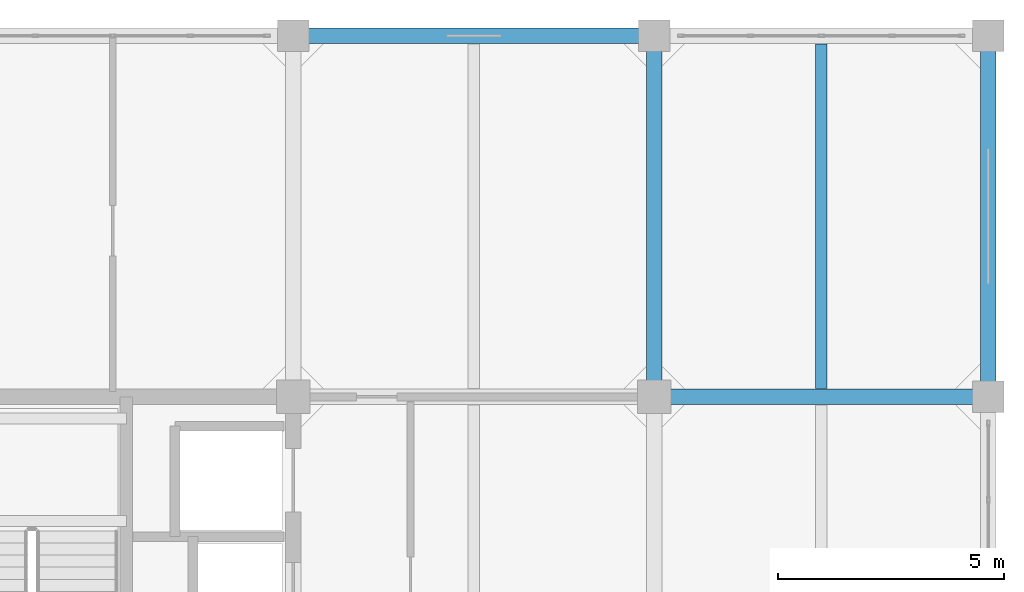
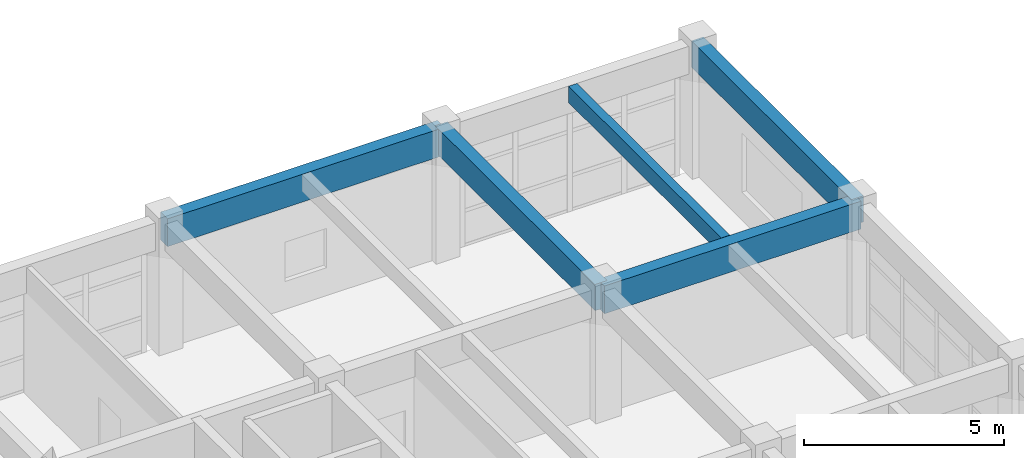
# One storey, part 17 of 27: 5 beams.
"""IFC4 building model written with IfcOpenShell, lengths in metres."""

from ifc_helpers import new_model, si_unit, direction, frame, origin, origin_2d, place, context, subcontext, project, spatial, rectangle, extrude, material, material_profile, profile_set, type_object, element, save


model = new_model("IFC4")

# Units and contexts
model_context = context("Model", 3, precision=1e-05, world=origin(), true_north=direction((0.0, 1.0)))
body_context = subcontext(model_context, "Body", "Model", "MODEL_VIEW")
ifc_project = project(units=[si_unit("LENGTHUNIT", "METRE"), si_unit("AREAUNIT", "SQUARE_METRE"), si_unit("VOLUMEUNIT", "CUBIC_METRE"), si_unit("PLANEANGLEUNIT", "RADIAN"), si_unit("MASSUNIT", "GRAM", prefix="KILO")], contexts=[model_context])

# Site, building, storey
site_placement = place(None, origin())
site = spatial("IfcSite", under=ifc_project, at=site_placement, CompositionType="ELEMENT")
building_placement = place(site_placement, origin())
building = spatial("IfcBuilding", under=site, at=building_placement, Name="Canggui Botanical Conservatory", CompositionType="ELEMENT")
storey_placement = place(building_placement, frame((0.0, 0.0, 36.0)))
storey = spatial("IfcBuildingStorey", under=building, at=storey_placement, Name="L09", CompositionType="ELEMENT", Elevation=36.0)

# Beams
ifc_material = material(Name="Concrete C35", Category="concrete")
ifc_material_profile_1 = material_profile(ifc_material, rectangle(XDim=0.25, YDim=0.5, at=origin_2d()), Name="RB 250x500")
ifc_profile_set_1 = profile_set([ifc_material_profile_1], Name="Concrete C35")
beam_type_1 = type_object("IfcBeamType", Name="BM-JST04", PredefinedType="JOIST", material=ifc_profile_set_1)
beam_1_placement = place(storey_placement, frame((173.699951171875, 66.179931640625, 3.7099609375), z_axis=(0.0, 1.0, 0.0), x_axis=(-1.0, 0.0, 0.0)))
element("IfcBeam", 1, at=beam_1_placement, inside=storey, type_object=beam_type_1, Name="Secondary Floor Joist L09-4-5", PredefinedType="JOIST", context=body_context, shape_type="SweptSolid", body=[
    extrude(rectangle(XDim=0.25, YDim=0.5, at=origin_2d()), origin(), (0.0, 0.0, 1.0), 7.64013671875),
])
ifc_material_profile_2 = material_profile(ifc_material, rectangle(XDim=0.35009765625, YDim=0.85009765625, at=origin_2d()), Name="RB 350x850")
ifc_profile_set_2 = profile_set([ifc_material_profile_2], Name="Concrete C35")
beam_type_2 = type_object("IfcBeamType", Name="BM-KL14", PredefinedType="BEAM", material=ifc_profile_set_2)
beam_2_placement = place(storey_placement, frame((170.0, 66.0, 3.534912109375), z_axis=(1.0, 0.0, 0.0), x_axis=(0.0, 1.0, 0.0)))
element("IfcBeam", 2, at=beam_2_placement, inside=storey, type_object=beam_type_2, Name="Frame Girder L09 Y66-4", PredefinedType="BEAM", context=body_context, shape_type="SweptSolid", body=[
    extrude(rectangle(XDim=0.35009765625, YDim=0.85009765625, at=origin_2d()), origin(), (0.0, 0.0, 1.0), 7.39990234375),
])
beam_3_placement = place(storey_placement, frame((162.0, 74.0, 3.534912109375), z_axis=(1.0, 0.0, 0.0), x_axis=(0.0, 1.0, 0.0)))
element("IfcBeam", 3, at=beam_3_placement, inside=storey, type_object=beam_type_2, Name="Frame Girder L09 Y74-3", PredefinedType="BEAM", context=body_context, shape_type="SweptSolid", body=[
    extrude(rectangle(XDim=0.35009765625, YDim=0.85009765625, at=origin_2d()), origin(), (0.0, 0.0, 1.0), 8.0),
])
ifc_material_profile_3 = material_profile(ifc_material, rectangle(XDim=0.35009765625, YDim=0.800048828125, at=origin_2d()), Name="RB 350x800")
ifc_profile_set_3 = profile_set([ifc_material_profile_3], Name="Concrete C35")
beam_type_3 = type_object("IfcBeamType", Name="BM-KL15", PredefinedType="BEAM", material=ifc_profile_set_3)
for number, where, z_axis, x_axis, name in (
    (4, (170.0, 66.0, 3.56005859375), (0.0, 1.0, 0.0), (-1.0, 0.0, 0.0), "Frame Girder L09 X170-5"),
    (5, (177.39990234375, 66.0, 3.56005859375), (0.0, 1.0, 0.0), (-1.0, 0.0, 0.0), "Frame Girder L09 X178-5"),
):
    element("IfcBeam", number, at=place(storey_placement, frame(where, z_axis=z_axis, x_axis=x_axis)), inside=storey, type_object=beam_type_3, Name=name, PredefinedType="BEAM", context=body_context, shape_type="SweptSolid", body=[
        extrude(rectangle(XDim=0.35009765625, YDim=0.800048828125, at=origin_2d()), origin(), (0.0, 0.0, 1.0), 8.0),
    ])

save(model, "model.ifc")
